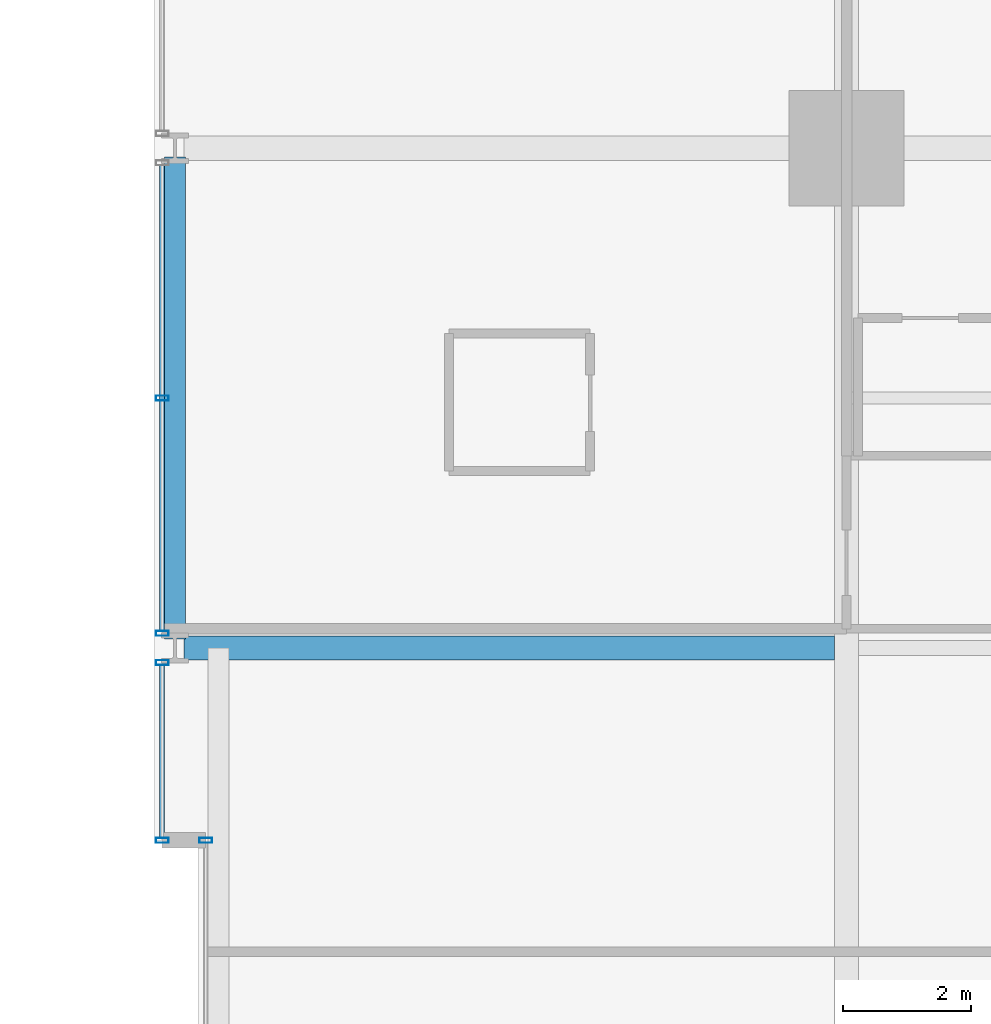
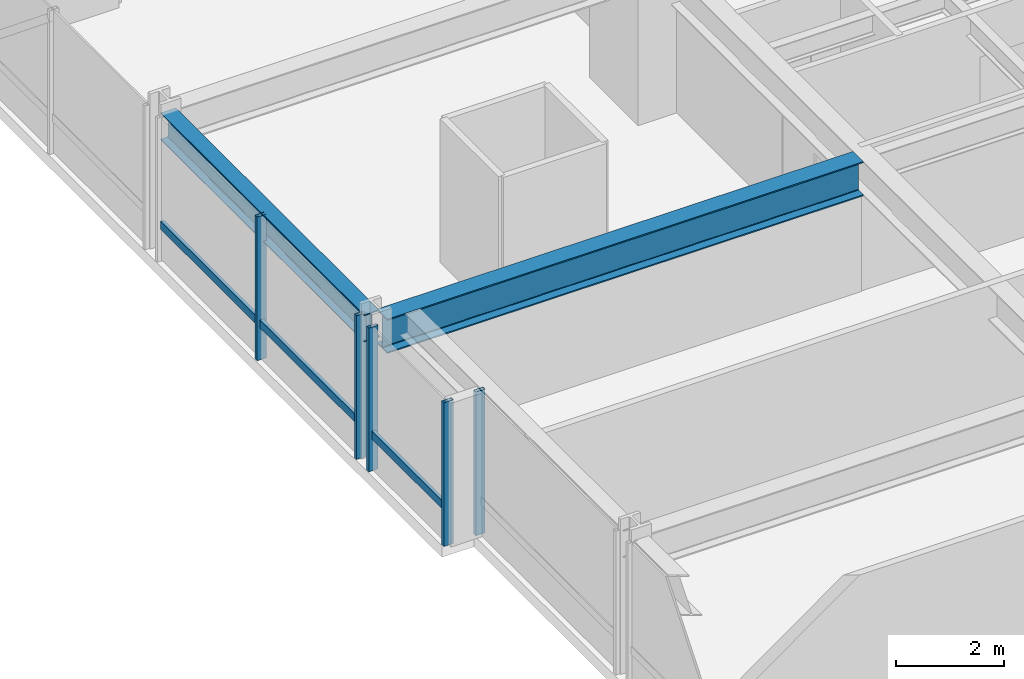
# One storey, part 17 of 38: 7 members, 2 beams, 3 elements without a shape of their own.
"""IFC4 building model written with IfcOpenShell, lengths in metres."""

from ifc_helpers import new_model, si_unit, direction, frame, origin, origin_2d, place, context, subcontext, project, spatial, hollow_rectangle, i_section, extrude, material, layer, layer_set, material_profile, profile_set, type_object, element, aggregate, save


model = new_model("IFC4")

# Units and contexts
model_context = context("Model", 3, precision=1e-05, world=origin(), true_north=direction((0.0, 1.0)))
body_context = subcontext(model_context, "Body", "Model", "MODEL_VIEW")
ifc_project = project(units=[si_unit("LENGTHUNIT", "METRE"), si_unit("AREAUNIT", "SQUARE_METRE"), si_unit("VOLUMEUNIT", "CUBIC_METRE"), si_unit("PLANEANGLEUNIT", "RADIAN"), si_unit("MASSUNIT", "GRAM", prefix="KILO")], contexts=[model_context])

# Site, building, storey
site_placement = place(None, origin())
site = spatial("IfcSite", under=ifc_project, at=site_placement, CompositionType="ELEMENT")
building_placement = place(site_placement, origin())
building = spatial("IfcBuilding", under=site, at=building_placement, Name="Drelvath Grand Hotel", CompositionType="ELEMENT")
storey_placement = place(building_placement, frame((0.0, 0.0, 61.199951171875)))
storey = spatial("IfcBuildingStorey", under=building, at=storey_placement, Name="L14", CompositionType="ELEMENT", Elevation=61.199951171875)

# Curtain wall, member
ifc_material_1 = material(Name="Warm Bronze Anodised Aluminium Frame", Category="aluminium")
ifc_layer = layer(ifc_material_1, 0.199951171875)
ifc_layer_set = layer_set([ifc_layer], Name="Warm Bronze Anodised Aluminium Frame")
curtain_wall_type = type_object("IfcCurtainWallType", Name="Stick Curtain Wall CW-02 Warm Bronze Low-Rise", PredefinedType="NOTDEFINED", material=ifc_layer_set)
curtain_wall_1_placement = place(storey_placement, origin())
curtain_wall_1 = element("IfcCurtainWall", 1, at=curtain_wall_1_placement, inside=storey, type_object=curtain_wall_type, Name="L14 CW-02 Curtain Wall CW02-L14-WN1", PredefinedType="NOTDEFINED")
ifc_material_profile_1 = material_profile(ifc_material_1, hollow_rectangle(XDim=0.074951171875, YDim=0.179931640625, WallThickness=0.0048828125, at=origin_2d()), Name="HSS180X75X5")
ifc_profile_set_1 = profile_set([ifc_material_profile_1], Name="Warm Bronze Anodised Aluminium Frame")
member_type_1 = type_object("IfcMemberType", Name="Curtain Wall Horizontal Transom CW-02 HSS180X75X5", PredefinedType="USERDEFINED", material=ifc_profile_set_1)
member_1_placement = place(storey_placement, frame((-26.8798828125, 32.43994140625, 0.81005859375), z_axis=(0.0, 1.0, 0.0), x_axis=(-1.0, 0.0, 0.0)))
member_1 = element("IfcMember", 2, at=member_1_placement, type_object=member_type_1, Name="CW02-L14-WN1 Sill Transom", ObjectType="TRANSOM", PredefinedType="USERDEFINED", context=body_context, shape_type="SweptSolid", body=[
    extrude(hollow_rectangle(XDim=0.074951171875, YDim=0.179931640625, WallThickness=0.0048828125, at=origin_2d()), origin(), (0.0, 0.0, 1.0), 2.69091796875),
])

curtain_wall_2_placement = place(storey_placement, origin())
curtain_wall_2 = element("IfcCurtainWall", 3, at=curtain_wall_2_placement, inside=storey, type_object=curtain_wall_type, Name="L14 CW-02 Curtain Wall CW02-L14-WN2", PredefinedType="NOTDEFINED")
member_2_placement = place(storey_placement, frame((-26.8798828125, 35.669189453125, 0.81005859375), z_axis=(0.0, 1.0, 0.0), x_axis=(-1.0, 0.0, 0.0)))
member_2 = element("IfcMember", 4, at=member_2_placement, type_object=member_type_1, Name="CW02-L14-WN2 Sill Transom", ObjectType="TRANSOM", PredefinedType="USERDEFINED", context=body_context, shape_type="SweptSolid", body=[
    extrude(hollow_rectangle(XDim=0.074951171875, YDim=0.179931640625, WallThickness=0.0048828125, at=origin_2d()), origin(), (0.0, 0.0, 1.0), 7.26171875),
])

curtain_wall_3_placement = place(storey_placement, origin())
curtain_wall_3 = element("IfcCurtainWall", 5, at=curtain_wall_3_placement, inside=storey, type_object=curtain_wall_type, Name="L14 CW-02 Curtain Wall CW02-L14-WM2", PredefinedType="NOTDEFINED")
ifc_material_profile_2 = material_profile(ifc_material_1, hollow_rectangle(XDim=0.080078125, YDim=0.199951171875, WallThickness=0.0048828125, at=origin_2d()), Name="HSS200X80X5")
ifc_profile_set_2 = profile_set([ifc_material_profile_2], Name="Warm Bronze Anodised Aluminium Frame")
member_type_2 = type_object("IfcMemberType", Name="Curtain Wall Vertical Mullion CW-02 HSS200X80X5", PredefinedType="MULLION", material=ifc_profile_set_2)
member_3_placement = place(storey_placement, frame((-26.199951171875, 32.39990234375, 0.0), z_axis=(0.0, 0.0, 1.0), x_axis=(0.0, 1.0, 0.0)))
member_3 = element("IfcMember", 6, at=member_3_placement, type_object=member_type_2, Name="CW02-L14-WM2 Mullion 2", PredefinedType="MULLION", context=body_context, shape_type="SweptSolid", body=[
    extrude(hollow_rectangle(XDim=0.080078125, YDim=0.199951171875, WallThickness=0.0048828125, at=origin_2d()), origin(), (0.0, 0.0, 1.0), 3.239990234375),
])
aggregate(curtain_wall_3, [member_3])

# Member
member_4_placement = place(storey_placement, frame((-26.8798828125, 32.39990234375, 0.0), z_axis=(0.0, 0.0, 1.0), x_axis=(0.0, 1.0, 0.0)))
member_4 = element("IfcMember", 7, at=member_4_placement, type_object=member_type_2, Name="CW02-L14-WN1 Mullion 1", PredefinedType="MULLION", context=body_context, shape_type="SweptSolid", body=[
    extrude(hollow_rectangle(XDim=0.080078125, YDim=0.199951171875, WallThickness=0.0048828125, at=origin_2d()), origin(), (0.0, 0.0, 1.0), 3.239990234375),
])

member_5_placement = place(storey_placement, frame((-26.8798828125, 35.1708984375, 0.0), z_axis=(0.0, 0.0, 1.0), x_axis=(0.0, 1.0, 0.0)))
member_5 = element("IfcMember", 8, at=member_5_placement, type_object=member_type_2, Name="CW02-L14-WN1 Mullion 2", PredefinedType="MULLION", context=body_context, shape_type="SweptSolid", body=[
    extrude(hollow_rectangle(XDim=0.080078125, YDim=0.199951171875, WallThickness=0.0048828125, at=origin_2d()), origin(), (0.0, 0.0, 1.0), 3.239990234375),
])

aggregate(curtain_wall_1, [member_4, member_5, member_1])

member_6_placement = place(storey_placement, frame((-26.8798828125, 35.629150390625, 0.0), z_axis=(0.0, 0.0, 1.0), x_axis=(0.0, 1.0, 0.0)))
member_6 = element("IfcMember", 9, at=member_6_placement, type_object=member_type_2, Name="CW02-L14-WN2 Mullion 1", PredefinedType="MULLION", context=body_context, shape_type="SweptSolid", body=[
    extrude(hollow_rectangle(XDim=0.080078125, YDim=0.199951171875, WallThickness=0.0048828125, at=origin_2d()), origin(), (0.0, 0.0, 1.0), 3.239990234375),
])

member_7_placement = place(storey_placement, frame((-26.8798828125, 39.300048828125, 0.0), z_axis=(0.0, 0.0, 1.0), x_axis=(0.0, 1.0, 0.0)))
member_7 = element("IfcMember", 10, at=member_7_placement, type_object=member_type_2, Name="CW02-L14-WN2 Mullion 2", PredefinedType="MULLION", context=body_context, shape_type="SweptSolid", body=[
    extrude(hollow_rectangle(XDim=0.080078125, YDim=0.199951171875, WallThickness=0.0048828125, at=origin_2d()), origin(), (0.0, 0.0, 1.0), 3.239990234375),
])

aggregate(curtain_wall_2, [member_6, member_7, member_2])

# Beams
ifc_material_2 = material(Name="Steel ASTM A992 Gr 50", Category="steel")
ifc_material_profile_3 = material_profile(ifc_material_2, i_section(OverallWidth=0.323974609375, OverallDepth=0.611083984375, WebThickness=0.0126953125, FlangeThickness=0.01904296875, FilletRadius=0.02197265625, at=origin_2d()), Name="W24X104")
ifc_profile_set_3 = profile_set([ifc_material_profile_3], Name="Steel ASTM A992 Gr 50")
beam_type_1 = type_object("IfcBeamType", Name="Perimeter Spandrel Beam W24X104", PredefinedType="SPANDREL", material=ifc_profile_set_3)
beam_1_placement = place(storey_placement, frame((-26.679931640625, 35.5400390625, 2.9345703125), z_axis=(0.0, 1.0, 0.0), x_axis=(-1.0, 0.0, 0.0)))
element("IfcBeam", 11, at=beam_1_placement, inside=storey, type_object=beam_type_1, Name="L14 Spandrel West N", PredefinedType="SPANDREL", context=body_context, shape_type="SweptSolid", body=[
    extrude(i_section(OverallWidth=0.323974609375, OverallDepth=0.611083984375, WebThickness=0.0126953125, FlangeThickness=0.01904296875, FilletRadius=0.02197265625, at=origin_2d()), origin(), (0.0, 0.0, 1.0), 7.52001953125),
])
ifc_material_profile_4 = material_profile(ifc_material_2, i_section(OverallWidth=0.380615234375, OverallDepth=0.773193359375, WebThickness=0.0166015625, FlangeThickness=0.027099609375, FilletRadius=0.02490234375, at=origin_2d()), Name="W30X173")
ifc_profile_set_4 = profile_set([ifc_material_profile_4], Name="Steel ASTM A992 Gr 50")
beam_type_2 = type_object("IfcBeamType", Name="Primary Floor Girder W30X173", PredefinedType="BEAM", material=ifc_profile_set_4)
beam_2_placement = place(storey_placement, frame((-26.5400390625, 35.39990234375, 2.853515625), z_axis=(1.0, 0.0, 0.0), x_axis=(0.0, 1.0, 0.0)))
element("IfcBeam", 12, at=beam_2_placement, inside=storey, type_object=beam_type_2, Name="L14 West Wing Girder F", PredefinedType="BEAM", context=body_context, shape_type="SweptSolid", body=[
    extrude(i_section(OverallWidth=0.380615234375, OverallDepth=0.773193359375, WebThickness=0.0166015625, FlangeThickness=0.027099609375, FilletRadius=0.02490234375, at=origin_2d()), origin(), (0.0, 0.0, 1.0), 10.149658203125),
])

save(model, "model.ifc")
